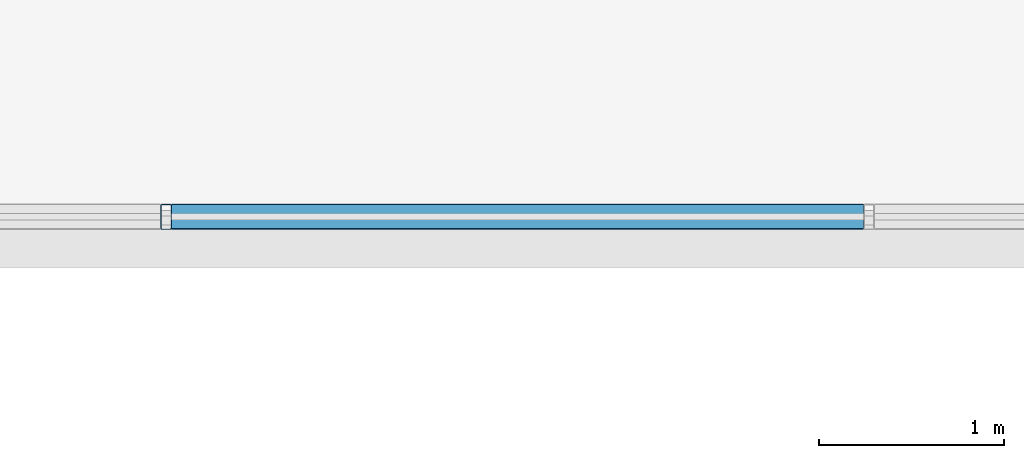
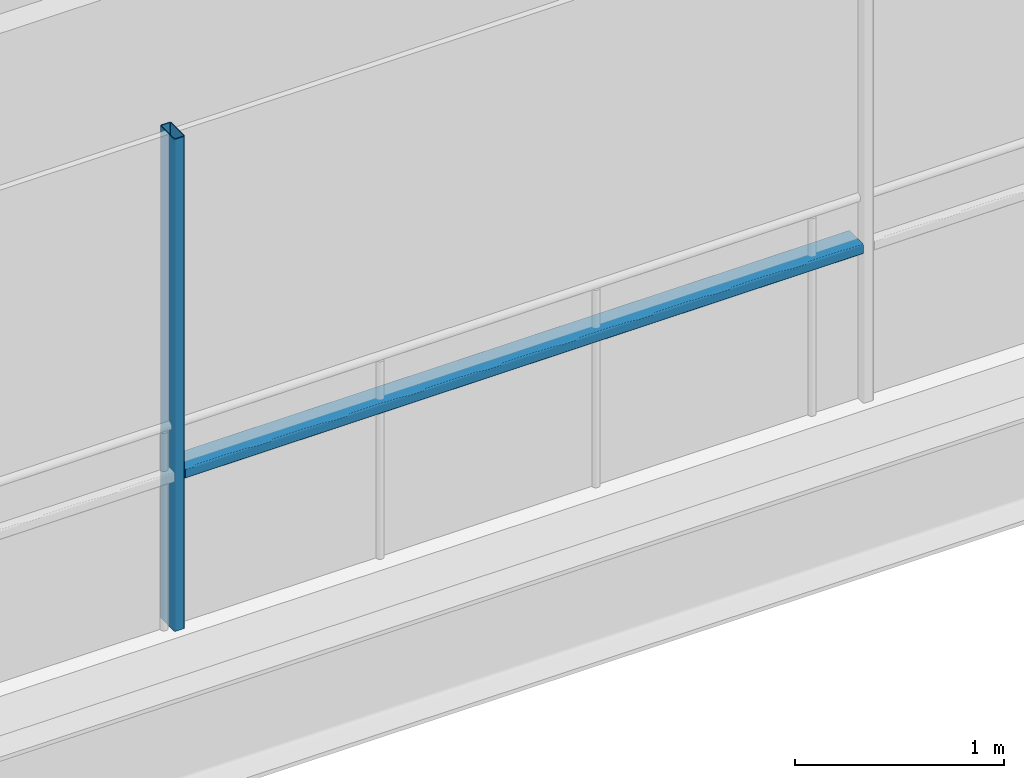
# One storey, part 11 of 41: 2 members, 1 element without a shape of its own.
"""IFC4 building model written with IfcOpenShell, lengths in metres."""

import ifcopenshell
import ifcopenshell.guid

model = None  # the IFC model being written
_history = None  # IfcOwnerHistory: only IFC2X3 demands one
_inside = {}  # id of a spatial element -> (the spatial element, [elements in it])
_under = {}  # id of a project, library or spatial element -> (it, [spatial elements below it])
_declared = {}  # id of a project -> (the project, [libraries it declares])
_typed = {}  # id of a type object -> (the type object, [elements of that type])
_made_of = {}  # id of a material, layer set ... -> (it, [elements and type objects made of it])


def new_model(schema):
    """Start an empty IFC model of exactly this schema.

    Asked for "IFC4X3", IfcOpenShell would pick the latest addendum, in which some entities
    have other attributes; the version numbers below select the first issue.
    IFC2X3 requires an IfcOwnerHistory on every rooted entity: one is made here for all.
    """
    global model, _history
    if schema == "IFC4X3":
        model = ifcopenshell.file(schema_version=(4, 3, 0, 0))
    else:
        model = ifcopenshell.file(schema=schema)
    _inside.clear()
    _under.clear()
    _declared.clear()
    _typed.clear()
    _made_of.clear()
    _history = None
    if model.schema == "IFC2X3":
        org = make("IfcOrganization", Name="unknown")
        user = make(
            "IfcPersonAndOrganization",
            ThePerson=make("IfcPerson", FamilyName="unknown"),
            TheOrganization=org,
        )
        app = make(
            "IfcApplication",
            ApplicationDeveloper=org,
            Version="unknown",
            ApplicationFullName="unknown",
            ApplicationIdentifier="unknown",
        )
        _history = make(
            "IfcOwnerHistory",
            OwningUser=user,
            OwningApplication=app,
            ChangeAction="ADDED",
            CreationDate=0,
        )
    return model


def make(cls, **values):
    """One entity of the class cls with the attributes given. An attribute that is None is left unset."""
    return model.create_entity(
        cls, **{name: value for name, value in values.items() if value is not None}
    )


def rooted(cls, **values):
    """An entity with a GlobalId (a new one), such as an element, a storey or a relation."""
    return make(cls, GlobalId=ifcopenshell.guid.new(), OwnerHistory=_history, **values)


def si_unit(unit_type, name, prefix=None):
    """IfcSIUnit, for example si_unit("LENGTHUNIT", "METRE", prefix="MILLI")."""
    return make("IfcSIUnit", UnitType=unit_type, Prefix=prefix, Name=name)


def assignment(units):
    """IfcUnitAssignment: the units of a project."""
    return None if units is None else make("IfcUnitAssignment", Units=units)


def point(xyz):
    """IfcCartesianPoint."""
    return None if xyz is None else make("IfcCartesianPoint", Coordinates=xyz)


def direction(xyz):
    """IfcDirection."""
    return None if xyz is None else make("IfcDirection", DirectionRatios=xyz)


def frame(location, z_axis=None, x_axis=None):
    """IfcAxis2Placement3D, a coordinate frame: its origin and axes. An axis left out is left unset."""
    return make(
        "IfcAxis2Placement3D",
        Location=point(location),
        Axis=direction(z_axis),
        RefDirection=direction(x_axis),
    )


def frame_2d(location, x_axis=None):
    """IfcAxis2Placement2D, a coordinate frame in the plane: its origin and x axis."""
    return make(
        "IfcAxis2Placement2D", Location=point(location), RefDirection=direction(x_axis)
    )


def origin():
    """The frame at (0, 0, 0) with its axes left unset."""
    return frame((0.0, 0.0, 0.0))


def origin_2d():
    """The frame at (0, 0) in the plane with its x axis left unset."""
    return frame_2d((0.0, 0.0))


def place(relative_to, where):
    """IfcLocalPlacement: puts the frame where relative to a parent placement (None: the world)."""
    return make(
        "IfcLocalPlacement", PlacementRelTo=relative_to, RelativePlacement=where
    )


def context(
    kind, dimensions, precision=None, world=None, true_north=None, identifier=None
):
    """IfcGeometricRepresentationContext, for example the 3D "Model" context."""
    return make(
        "IfcGeometricRepresentationContext",
        ContextIdentifier=identifier,
        ContextType=kind,
        CoordinateSpaceDimension=dimensions,
        Precision=precision,
        WorldCoordinateSystem=world,
        TrueNorth=true_north,
    )


def subcontext(parent, identifier, kind, view, scale=None):
    """IfcGeometricRepresentationSubContext, for example "Body" below "Model"."""
    return make(
        "IfcGeometricRepresentationSubContext",
        ContextIdentifier=identifier,
        ContextType=kind,
        ParentContext=parent,
        TargetScale=scale,
        TargetView=view,
    )


def project(units=None, contexts=None):
    """IfcProject with its units and contexts."""
    return rooted(
        "IfcProject",
        Name="project",
        RepresentationContexts=contexts,
        UnitsInContext=assignment(units),
    )


def spatial(cls, under=None, at=None, **own):
    """A site, building, storey or space (cls), placed at a placement, below another one or the project."""
    s = rooted(cls, ObjectPlacement=at, **own)
    if under is not None:
        _under.setdefault(under.id(), (under, []))[1].append(s)
    return s


def profile(cls, at=None, kind="AREA", **sizes):
    """A parametric profile (cls). Its sizes go by their IFC names, for example OverallWidth=200.0."""
    return make(cls, ProfileType=kind, Position=at, **sizes)


def hollow_rectangle(**sizes):
    """IfcRectangleHollowProfileDef."""
    return profile("IfcRectangleHollowProfileDef", **sizes)


def extrude(swept, where, along, depth):
    """IfcExtrudedAreaSolid: the profile swept, set in the frame where, extruded along a direction by depth."""
    return make(
        "IfcExtrudedAreaSolid",
        SweptArea=swept,
        Position=where,
        ExtrudedDirection=direction(along),
        Depth=depth,
    )


def shape(context_of_items, identifier, shape_type, items):
    """IfcShapeRepresentation: the items that make up one representation, for example the "Body"."""
    return make(
        "IfcShapeRepresentation",
        ContextOfItems=context_of_items,
        RepresentationIdentifier=identifier,
        RepresentationType=shape_type,
        Items=items,
    )


def material(Name=None, Category=None):
    """IfcMaterial."""
    return make("IfcMaterial", Name=Name, Category=Category)


def layer(
    of_material, thickness, ventilated=None, Name=None, Category=None, Priority=None
):
    """IfcMaterialLayer: one layer of a wall or slab, of a material (None: an air gap)."""
    return make(
        "IfcMaterialLayer",
        Material=of_material,
        LayerThickness=thickness,
        IsVentilated=ventilated,
        Name=Name,
        Category=Category,
        Priority=Priority,
    )


def layer_set(layers, Name=None):
    """IfcMaterialLayerSet."""
    return make("IfcMaterialLayerSet", MaterialLayers=layers, LayerSetName=Name)


def material_profile(
    of_material, cross_section, Name=None, Category=None, Priority=None
):
    """IfcMaterialProfile: a cross section and its material."""
    return make(
        "IfcMaterialProfile",
        Name=Name,
        Material=of_material,
        Profile=cross_section,
        Priority=Priority,
        Category=Category,
    )


def profile_set(profiles, Name=None, composite=None):
    """IfcMaterialProfileSet."""
    return make(
        "IfcMaterialProfileSet",
        Name=Name,
        MaterialProfiles=profiles,
        CompositeProfile=composite,
    )


def made_of(thing, what):
    """Note that an element or type object is made of a material, layer set ...; save() writes the relation."""
    if what is not None:
        _made_of.setdefault(what.id(), (what, []))[1].append(thing)
    return thing


def type_object(cls, material=None, **own):
    """A type object (cls), such as IfcWallType, which elements share."""
    return made_of(rooted(cls, **own), material)


def element(
    cls,
    number,
    at=None,
    inside=None,
    cuts=None,
    type_object=None,
    material=None,
    context=None,
    identifier="Body",
    shape_type=None,
    held_by="IfcProductDefinitionShape",
    body=None,
    shapes=None,
    **own,
):
    """One element of the class cls, such as IfcWall. Its Tag is "e" and its number.

    at: its placement. inside: the storey or other place that contains it. cuts: it is an
    opening in that element (IfcRelVoidsElement). A single representation is given by context,
    identifier, shape_type and body (its items); several are given by shapes. held_by: the class
    of the entity that holds the representations. save() writes the other relations.
    """
    e = rooted(cls, Tag="e%d" % number, ObjectPlacement=at, **own)
    if body is not None:
        shapes = [shape(context, identifier, shape_type, body)]
    if shapes is not None:
        e.Representation = make(held_by, Representations=shapes)
    if inside is not None:
        _inside.setdefault(inside.id(), (inside, []))[1].append(e)
    if cuts is not None:
        rooted(
            "IfcRelVoidsElement", RelatingBuildingElement=cuts, RelatedOpeningElement=e
        )
    if type_object is not None:
        _typed.setdefault(type_object.id(), (type_object, []))[1].append(e)
    return made_of(e, material)


def aggregate(whole, parts):
    """IfcRelAggregates: a whole, such as a stair, and the parts it consists of."""
    return rooted("IfcRelAggregates", RelatingObject=whole, RelatedObjects=parts)


def save(model, path):
    """Write the relations noted so far, then the file.

    IfcRelAggregates (storeys below a building ...), IfcRelContainedInSpatialStructure (elements
    in a storey), IfcRelDefinesByType, IfcRelAssociatesMaterial and IfcRelDeclares: one each for
    every whole, place, type object, material and project.
    """
    for whole, parts in _under.values():
        aggregate(whole, parts)
    for where, things in _inside.values():
        rooted(
            "IfcRelContainedInSpatialStructure",
            RelatedElements=things,
            RelatingStructure=where,
        )
    for kind, things in _typed.values():
        rooted("IfcRelDefinesByType", RelatedObjects=things, RelatingType=kind)
    for what, things in _made_of.values():
        rooted("IfcRelAssociatesMaterial", RelatedObjects=things, RelatingMaterial=what)
    for by, libraries in _declared.values():
        rooted("IfcRelDeclares", RelatingContext=by, RelatedDefinitions=libraries)
    model.write(path)


model = new_model("IFC4")

# Units and contexts
model_context = context("Model", 3, precision=1e-05, world=origin(), true_north=direction((0.0, 1.0)))
body_context = subcontext(model_context, "Body", "Model", "MODEL_VIEW")
ifc_project = project(units=[si_unit("LENGTHUNIT", "METRE"), si_unit("AREAUNIT", "SQUARE_METRE"), si_unit("VOLUMEUNIT", "CUBIC_METRE"), si_unit("PLANEANGLEUNIT", "RADIAN"), si_unit("MASSUNIT", "GRAM", prefix="KILO")], contexts=[model_context])

# Site, building, storey
site_placement = place(None, origin())
site = spatial("IfcSite", under=ifc_project, at=site_placement, CompositionType="ELEMENT")
building_placement = place(site_placement, origin())
building = spatial("IfcBuilding", under=site, at=building_placement, Name="Brevholm Reach", CompositionType="ELEMENT")
storey_placement = place(building_placement, frame((0.0, 0.0, 74.5)))
storey = spatial("IfcBuildingStorey", under=building, at=storey_placement, Name="L21", CompositionType="ELEMENT", Elevation=74.5)

# Curtain wall, members
ifc_material_1 = material(Name="Dark Anodised Aluminium 6063-T6 and Solar-Control Glass", Category="aluminium")
ifc_layer = layer(ifc_material_1, 0.139892578125)
ifc_layer_set = layer_set([ifc_layer], Name="Dark Anodised Aluminium 6063-T6 and Solar-Control Glass")
curtain_wall_type = type_object("IfcCurtainWallType", Name="CW-02", PredefinedType="NOTDEFINED", material=ifc_layer_set)
curtain_wall_placement = place(storey_placement, origin())
curtain_wall = element("IfcCurtainWall", 1, at=curtain_wall_placement, inside=storey, type_object=curtain_wall_type, Name="L21 Curtain Wall CW-02", PredefinedType="NOTDEFINED")
ifc_material_2 = material(Name="Dark Anodised Aluminium 6063-T6", Category="aluminium")
ifc_material_profile_1 = material_profile(ifc_material_2, hollow_rectangle(XDim=0.06005859375, YDim=0.139892578125, WallThickness=0.0048828125, InnerFilletRadius=0.0048828125, OuterFilletRadius=0.010009765625, at=origin_2d()), Name="RHS 140x60x5")
ifc_profile_set_1 = profile_set([ifc_material_profile_1], Name="Dark Anodised Aluminium 6063-T6")
member_type_1 = type_object("IfcMemberType", Name="CWM-140", PredefinedType="MULLION", material=ifc_profile_set_1)
member_1_placement = place(storey_placement, frame((30.050048828125, 26.6201171875, 0.0), z_axis=(0.0, 0.0, 1.0), x_axis=(-1.0, 0.0, 0.0)))
member_1 = element("IfcMember", 2, at=member_1_placement, type_object=member_type_1, Name="CM-140 Mullion 3", PredefinedType="MULLION", context=body_context, shape_type="SweptSolid", body=[
    extrude(hollow_rectangle(XDim=0.06005859375, YDim=0.139892578125, WallThickness=0.0048828125, InnerFilletRadius=0.0048828125, OuterFilletRadius=0.010009765625, at=origin_2d()), origin(), (0.0, 0.0, 1.0), 2.8701171875),
])
ifc_material_3 = material(Name="Dark Anodised Aluminium 6063-T6", Category="aluminium")
ifc_material_profile_2 = material_profile(ifc_material_3, hollow_rectangle(XDim=0.06005859375, YDim=0.139892578125, WallThickness=0.0048828125, InnerFilletRadius=0.0048828125, OuterFilletRadius=0.010009765625, at=origin_2d()), Name="RHS 140x60x5")
ifc_profile_set_2 = profile_set([ifc_material_profile_2], Name="Dark Anodised Aluminium 6063-T6")
member_type_2 = type_object("IfcMemberType", Name="CWT-140", PredefinedType="NOTDEFINED", material=ifc_profile_set_2)
member_2_placement = place(storey_placement, frame((33.820068359375, 26.6201171875, 0.89990234375), z_axis=(-1.0, 0.0, 0.0), x_axis=(0.0, 0.0, 1.0)))
member_2 = element("IfcMember", 3, at=member_2_placement, type_object=member_type_2, Name="CT-140 Transom 2.1", ObjectType="TRANSOM", PredefinedType="USERDEFINED", context=body_context, shape_type="SweptSolid", body=[
    extrude(hollow_rectangle(XDim=0.06005859375, YDim=0.139892578125, WallThickness=0.0048828125, InnerFilletRadius=0.0048828125, OuterFilletRadius=0.010009765625, at=origin_2d()), origin(), (0.0, 0.0, 1.0), 3.739990234375),
])
aggregate(curtain_wall, [member_1, member_2])

save(model, "model.ifc")
